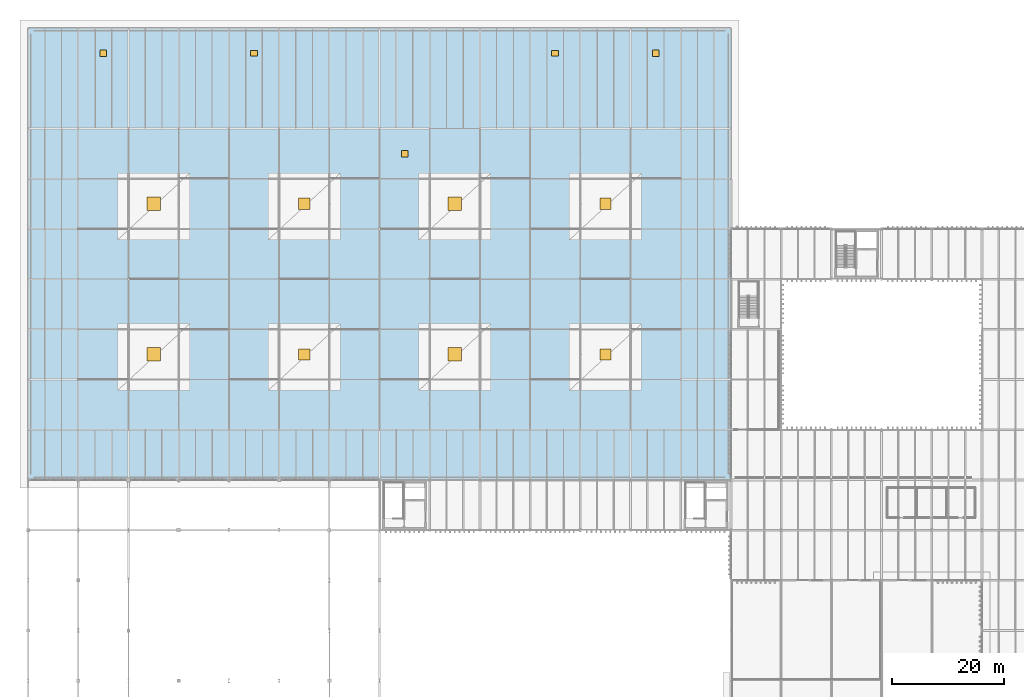
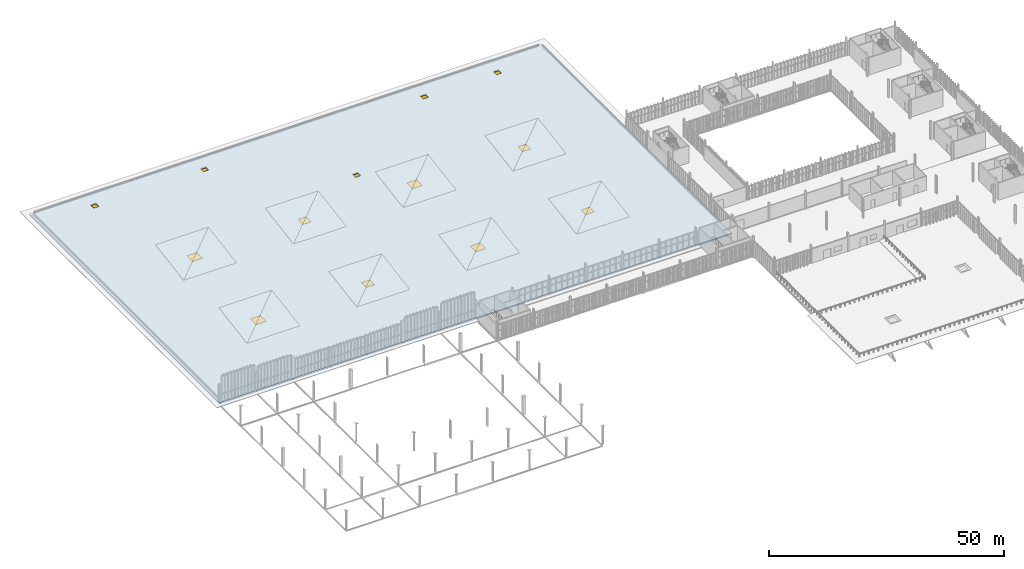
# One storey, part 161 of 196: 8 windows, 5 doors, 1 slab, 13 openings.
"""IFC4 building model written with IfcOpenShell, lengths in metres."""

from ifc_helpers import new_model, si_unit, direction, frame, origin, origin_2d, place, context, subcontext, project, spatial, polyline, rectangle, outline, extrude, material, layer, layer_set, type_object, element, fill, save


model = new_model("IFC4")

# Units and contexts
model_context = context("Model", 3, precision=1e-05, world=origin(), true_north=direction((0.0, 1.0)))
body_context = subcontext(model_context, "Body", "Model", "MODEL_VIEW")
ifc_project = project(units=[si_unit("LENGTHUNIT", "METRE"), si_unit("AREAUNIT", "SQUARE_METRE"), si_unit("VOLUMEUNIT", "CUBIC_METRE"), si_unit("PLANEANGLEUNIT", "RADIAN"), si_unit("MASSUNIT", "GRAM", prefix="KILO")], contexts=[model_context])

# Site, building, storey
site_placement = place(None, origin())
site = spatial("IfcSite", under=ifc_project, at=site_placement, CompositionType="ELEMENT")
building_placement = place(site_placement, origin())
building = spatial("IfcBuilding", under=site, at=building_placement, Name="Barlavento Convention Centre", CompositionType="ELEMENT")
storey_placement = place(building_placement, frame((0.0, 0.0, 18.0)))
storey = spatial("IfcBuildingStorey", under=building, at=storey_placement, Name="L03", CompositionType="ELEMENT", Elevation=18.0)

# Slab, openings, doors, windows
ifc_material_1 = material(Name="Concrete C40/50", Category="concrete")
ifc_layer = layer(ifc_material_1, 0.344970703125)
ifc_layer_set = layer_set([ifc_layer], Name="STR-SLB-ROOF-340")
slab_type = type_object("IfcSlabType", Name="STR-SLB-ROOF-340", PredefinedType="ROOF", material=ifc_layer_set)
slab_placement = place(storey_placement, frame((0.0, 0.0, -0.344970703125)))
slab = element("IfcSlab", 1, at=slab_placement, inside=storey, type_object=slab_type, Name="L03 structural flat roof slab RS-301", PredefinedType="ROOF", context=body_context, shape_type="SweptSolid", body=[
    extrude(outline(polyline([(0.0, 54.0), (126.0, 54.0), (126.0, 135.0), (0.0, 135.0), (0.0, 54.0)])), origin(), (0.0, 0.0, 1.0), 0.344970703125),
])
opening_1_placement = place(slab_placement, frame((22.5, 76.5, 0.0)))
opening_1 = element("IfcOpeningElement", 2, at=opening_1_placement, cuts=slab, Name="Opening SK01", PredefinedType="OPENING", context=body_context, shape_type="SweptSolid", body=[
    extrude(rectangle(XDim=2.39990234375, YDim=2.39990234375, at=origin_2d()), origin(), (0.0, 0.0, 1.0), 0.344970703125),
])
opening_2_placement = place(slab_placement, frame((49.5, 76.5, 0.0)))
opening_2 = element("IfcOpeningElement", 3, at=opening_2_placement, cuts=slab, Name="Opening SK02", PredefinedType="OPENING", context=body_context, shape_type="SweptSolid", body=[
    extrude(rectangle(XDim=2.0, YDim=2.0, at=origin_2d()), origin(), (0.0, 0.0, 1.0), 0.344970703125),
])
opening_3_placement = place(slab_placement, frame((76.5, 76.5, 0.0)))
opening_3 = element("IfcOpeningElement", 4, at=opening_3_placement, cuts=slab, Name="Opening SK01", PredefinedType="OPENING", context=body_context, shape_type="SweptSolid", body=[
    extrude(rectangle(XDim=2.39990234375, YDim=2.39990234375, at=origin_2d()), origin(), (0.0, 0.0, 1.0), 0.344970703125),
])
opening_4_placement = place(slab_placement, frame((103.5, 76.5, 0.0)))
opening_4 = element("IfcOpeningElement", 5, at=opening_4_placement, cuts=slab, Name="Opening SK02", PredefinedType="OPENING", context=body_context, shape_type="SweptSolid", body=[
    extrude(rectangle(XDim=2.0, YDim=2.0, at=origin_2d()), origin(), (0.0, 0.0, 1.0), 0.344970703125),
])
opening_5_placement = place(slab_placement, frame((22.5, 103.5, 0.0)))
opening_5 = element("IfcOpeningElement", 6, at=opening_5_placement, cuts=slab, Name="Opening SK01", PredefinedType="OPENING", context=body_context, shape_type="SweptSolid", body=[
    extrude(rectangle(XDim=2.39990234375, YDim=2.39990234375, at=origin_2d()), origin(), (0.0, 0.0, 1.0), 0.344970703125),
])
opening_6_placement = place(slab_placement, frame((49.5, 103.5, 0.0)))
opening_6 = element("IfcOpeningElement", 7, at=opening_6_placement, cuts=slab, Name="Opening SK02", PredefinedType="OPENING", context=body_context, shape_type="SweptSolid", body=[
    extrude(rectangle(XDim=2.0, YDim=2.0, at=origin_2d()), origin(), (0.0, 0.0, 1.0), 0.344970703125),
])
opening_7_placement = place(slab_placement, frame((76.5, 103.5, 0.0)))
opening_7 = element("IfcOpeningElement", 8, at=opening_7_placement, cuts=slab, Name="Opening SK01", PredefinedType="OPENING", context=body_context, shape_type="SweptSolid", body=[
    extrude(rectangle(XDim=2.39990234375, YDim=2.39990234375, at=origin_2d()), origin(), (0.0, 0.0, 1.0), 0.344970703125),
])
opening_8_placement = place(slab_placement, frame((103.5, 103.5, 0.0)))
opening_8 = element("IfcOpeningElement", 9, at=opening_8_placement, cuts=slab, Name="Opening SK02", PredefinedType="OPENING", context=body_context, shape_type="SweptSolid", body=[
    extrude(rectangle(XDim=2.0, YDim=2.0, at=origin_2d()), origin(), (0.0, 0.0, 1.0), 0.344970703125),
])
opening_9_placement = place(slab_placement, frame((13.5, 130.5, 0.0)))
opening_9 = element("IfcOpeningElement", 10, at=opening_9_placement, cuts=slab, Name="Opening RH01", PredefinedType="OPENING", context=body_context, shape_type="SweptSolid", body=[
    extrude(rectangle(XDim=1.14990234375, YDim=1.14990234375, at=origin_2d()), origin(), (0.0, 0.0, 1.0), 0.344970703125),
])
opening_10_placement = place(slab_placement, frame((40.5, 130.5, 0.0)))
opening_10 = element("IfcOpeningElement", 11, at=opening_10_placement, cuts=slab, Name="Opening RH02", PredefinedType="OPENING", context=body_context, shape_type="SweptSolid", body=[
    extrude(rectangle(XDim=1.25, YDim=1.050048828125, at=origin_2d()), origin(), (0.0, 0.0, 1.0), 0.344970703125),
])
opening_11_placement = place(slab_placement, frame((67.5, 112.5, 0.0)))
opening_11 = element("IfcOpeningElement", 12, at=opening_11_placement, cuts=slab, Name="Opening RH01", PredefinedType="OPENING", context=body_context, shape_type="SweptSolid", body=[
    extrude(rectangle(XDim=1.14990234375, YDim=1.14990234375, at=origin_2d()), origin(), (0.0, 0.0, 1.0), 0.344970703125),
])
opening_12_placement = place(slab_placement, frame((94.5, 130.5, 0.0)))
opening_12 = element("IfcOpeningElement", 13, at=opening_12_placement, cuts=slab, Name="Opening RH02", PredefinedType="OPENING", context=body_context, shape_type="SweptSolid", body=[
    extrude(rectangle(XDim=1.25, YDim=1.050048828125, at=origin_2d()), origin(), (0.0, 0.0, 1.0), 0.344970703125),
])
opening_13_placement = place(slab_placement, frame((112.5, 130.5, 0.0)))
opening_13 = element("IfcOpeningElement", 14, at=opening_13_placement, cuts=slab, Name="Opening RH01", PredefinedType="OPENING", context=body_context, shape_type="SweptSolid", body=[
    extrude(rectangle(XDim=1.14990234375, YDim=1.14990234375, at=origin_2d()), origin(), (0.0, 0.0, 1.0), 0.344970703125),
])
ifc_material_2 = material(Name="Painted galvanized steel", Category="steel")
door_type_1 = type_object("IfcDoorType", Name="ARC-DR-HATCH-1150X1150", OperationType="SINGLE_SWING_LEFT", PredefinedType="TRAPDOOR", material=ifc_material_2)
door_1_placement = place(opening_9_placement, frame((0.0, 0.0, 0.294921875)))
door_1 = element("IfcDoor", 15, at=door_1_placement, inside=storey, type_object=door_type_1, Name="DR-HT-L03-001 L03 maintenance roof access hatch RH01", OperationType="SINGLE_SWING_LEFT", OverallHeight=1.14990234375, OverallWidth=1.14990234375, PredefinedType="TRAPDOOR", context=body_context, shape_type="SweptSolid", body=[
    extrude(rectangle(XDim=1.14990234375, YDim=1.14990234375, at=origin_2d()), origin(), (0.0, 0.0, 1.0), 0.050048828125),
])
fill(opening_9, door_1)
door_2_placement = place(opening_11_placement, frame((0.0, 0.0, 0.294921875)))
door_2 = element("IfcDoor", 16, at=door_2_placement, inside=storey, type_object=door_type_1, Name="DR-HT-L03-003 L03 maintenance roof access hatch RH01", OperationType="SINGLE_SWING_LEFT", OverallHeight=1.14990234375, OverallWidth=1.14990234375, PredefinedType="TRAPDOOR", context=body_context, shape_type="SweptSolid", body=[
    extrude(rectangle(XDim=1.14990234375, YDim=1.14990234375, at=origin_2d()), origin(), (0.0, 0.0, 1.0), 0.050048828125),
])
fill(opening_11, door_2)
door_3_placement = place(opening_13_placement, frame((0.0, 0.0, 0.294921875)))
door_3 = element("IfcDoor", 17, at=door_3_placement, inside=storey, type_object=door_type_1, Name="DR-HT-L03-005 L03 maintenance roof access hatch RH01", OperationType="SINGLE_SWING_LEFT", OverallHeight=1.14990234375, OverallWidth=1.14990234375, PredefinedType="TRAPDOOR", context=body_context, shape_type="SweptSolid", body=[
    extrude(rectangle(XDim=1.14990234375, YDim=1.14990234375, at=origin_2d()), origin(), (0.0, 0.0, 1.0), 0.050048828125),
])
fill(opening_13, door_3)
door_type_2 = type_object("IfcDoorType", Name="ARC-DR-HATCH-1250X1050", OperationType="SINGLE_SWING_LEFT", PredefinedType="TRAPDOOR", material=ifc_material_2)
door_4_placement = place(opening_10_placement, frame((0.0, 0.0, 0.294921875)))
door_4 = element("IfcDoor", 18, at=door_4_placement, inside=storey, type_object=door_type_2, Name="DR-HT-L03-002 L03 maintenance roof access hatch RH02", OperationType="SINGLE_SWING_LEFT", OverallHeight=1.050048828125, OverallWidth=1.25, PredefinedType="TRAPDOOR", context=body_context, shape_type="SweptSolid", body=[
    extrude(rectangle(XDim=1.25, YDim=1.050048828125, at=origin_2d()), origin(), (0.0, 0.0, 1.0), 0.050048828125),
])
fill(opening_10, door_4)
door_5_placement = place(opening_12_placement, frame((0.0, 0.0, 0.294921875)))
door_5 = element("IfcDoor", 19, at=door_5_placement, inside=storey, type_object=door_type_2, Name="DR-HT-L03-004 L03 maintenance roof access hatch RH02", OperationType="SINGLE_SWING_LEFT", OverallHeight=1.050048828125, OverallWidth=1.25, PredefinedType="TRAPDOOR", context=body_context, shape_type="SweptSolid", body=[
    extrude(rectangle(XDim=1.25, YDim=1.050048828125, at=origin_2d()), origin(), (0.0, 0.0, 1.0), 0.050048828125),
])
fill(opening_12, door_5)
ifc_material_3 = material(Name="Double-silver Low-E insulated glass", Category="glass")
window_type_1 = type_object("IfcWindowType", Name="ARC-WN-SKY-2000X2000", PartitioningType="SINGLE_PANEL", PredefinedType="SKYLIGHT", material=ifc_material_3)
window_1_placement = place(opening_2_placement, frame((0.0, 0.0, 0.294921875)))
window_1 = element("IfcWindow", 20, at=window_1_placement, inside=storey, type_object=window_type_1, Name="L03 roof skylight SK02", OverallHeight=2.0, OverallWidth=2.0, PartitioningType="SINGLE_PANEL", PredefinedType="SKYLIGHT", context=body_context, shape_type="SweptSolid", body=[
    extrude(rectangle(XDim=2.0, YDim=2.0, at=origin_2d()), origin(), (0.0, 0.0, 1.0), 0.050048828125),
])
fill(opening_2, window_1)
window_2_placement = place(opening_4_placement, frame((0.0, 0.0, 0.294921875)))
window_2 = element("IfcWindow", 21, at=window_2_placement, inside=storey, type_object=window_type_1, Name="L03 roof skylight SK02", OverallHeight=2.0, OverallWidth=2.0, PartitioningType="SINGLE_PANEL", PredefinedType="SKYLIGHT", context=body_context, shape_type="SweptSolid", body=[
    extrude(rectangle(XDim=2.0, YDim=2.0, at=origin_2d()), origin(), (0.0, 0.0, 1.0), 0.050048828125),
])
fill(opening_4, window_2)
window_3_placement = place(opening_6_placement, frame((0.0, 0.0, 0.294921875)))
window_3 = element("IfcWindow", 22, at=window_3_placement, inside=storey, type_object=window_type_1, Name="L03 roof skylight SK02", OverallHeight=2.0, OverallWidth=2.0, PartitioningType="SINGLE_PANEL", PredefinedType="SKYLIGHT", context=body_context, shape_type="SweptSolid", body=[
    extrude(rectangle(XDim=2.0, YDim=2.0, at=origin_2d()), origin(), (0.0, 0.0, 1.0), 0.050048828125),
])
fill(opening_6, window_3)
window_4_placement = place(opening_8_placement, frame((0.0, 0.0, 0.294921875)))
window_4 = element("IfcWindow", 23, at=window_4_placement, inside=storey, type_object=window_type_1, Name="L03 roof skylight SK02", OverallHeight=2.0, OverallWidth=2.0, PartitioningType="SINGLE_PANEL", PredefinedType="SKYLIGHT", context=body_context, shape_type="SweptSolid", body=[
    extrude(rectangle(XDim=2.0, YDim=2.0, at=origin_2d()), origin(), (0.0, 0.0, 1.0), 0.050048828125),
])
fill(opening_8, window_4)
window_type_2 = type_object("IfcWindowType", Name="ARC-WN-SKY-2400X2400", PartitioningType="SINGLE_PANEL", PredefinedType="SKYLIGHT", material=ifc_material_3)
window_5_placement = place(opening_1_placement, frame((0.0, 0.0, 0.294921875)))
window_5 = element("IfcWindow", 24, at=window_5_placement, inside=storey, type_object=window_type_2, Name="L03 roof skylight SK01", OverallHeight=2.39990234375, OverallWidth=2.39990234375, PartitioningType="SINGLE_PANEL", PredefinedType="SKYLIGHT", context=body_context, shape_type="SweptSolid", body=[
    extrude(rectangle(XDim=2.39990234375, YDim=2.39990234375, at=origin_2d()), origin(), (0.0, 0.0, 1.0), 0.050048828125),
])
fill(opening_1, window_5)
window_6_placement = place(opening_3_placement, frame((0.0, 0.0, 0.294921875)))
window_6 = element("IfcWindow", 25, at=window_6_placement, inside=storey, type_object=window_type_2, Name="L03 roof skylight SK01", OverallHeight=2.39990234375, OverallWidth=2.39990234375, PartitioningType="SINGLE_PANEL", PredefinedType="SKYLIGHT", context=body_context, shape_type="SweptSolid", body=[
    extrude(rectangle(XDim=2.39990234375, YDim=2.39990234375, at=origin_2d()), origin(), (0.0, 0.0, 1.0), 0.050048828125),
])
fill(opening_3, window_6)
window_7_placement = place(opening_5_placement, frame((0.0, 0.0, 0.294921875)))
window_7 = element("IfcWindow", 26, at=window_7_placement, inside=storey, type_object=window_type_2, Name="L03 roof skylight SK01", OverallHeight=2.39990234375, OverallWidth=2.39990234375, PartitioningType="SINGLE_PANEL", PredefinedType="SKYLIGHT", context=body_context, shape_type="SweptSolid", body=[
    extrude(rectangle(XDim=2.39990234375, YDim=2.39990234375, at=origin_2d()), origin(), (0.0, 0.0, 1.0), 0.050048828125),
])
fill(opening_5, window_7)
window_8_placement = place(opening_7_placement, frame((0.0, 0.0, 0.294921875)))
window_8 = element("IfcWindow", 27, at=window_8_placement, inside=storey, type_object=window_type_2, Name="L03 roof skylight SK01", OverallHeight=2.39990234375, OverallWidth=2.39990234375, PartitioningType="SINGLE_PANEL", PredefinedType="SKYLIGHT", context=body_context, shape_type="SweptSolid", body=[
    extrude(rectangle(XDim=2.39990234375, YDim=2.39990234375, at=origin_2d()), origin(), (0.0, 0.0, 1.0), 0.050048828125),
])
fill(opening_7, window_8)

save(model, "model.ifc")
